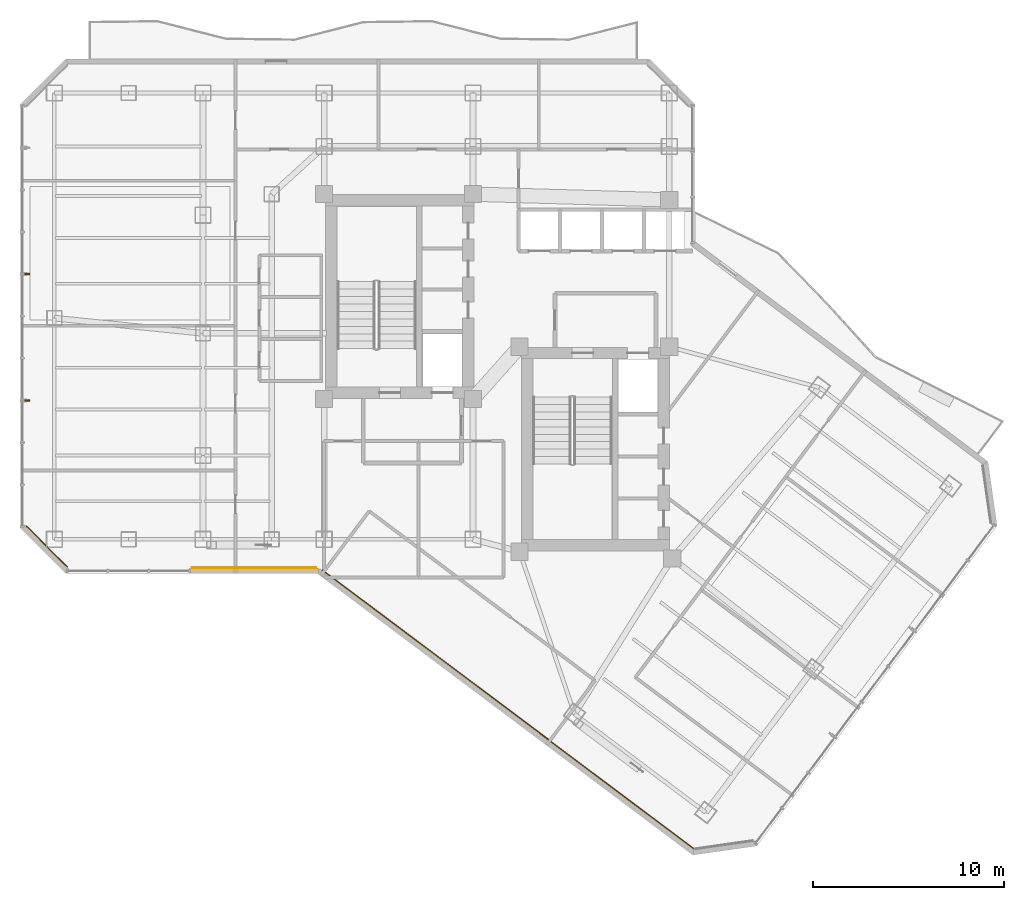
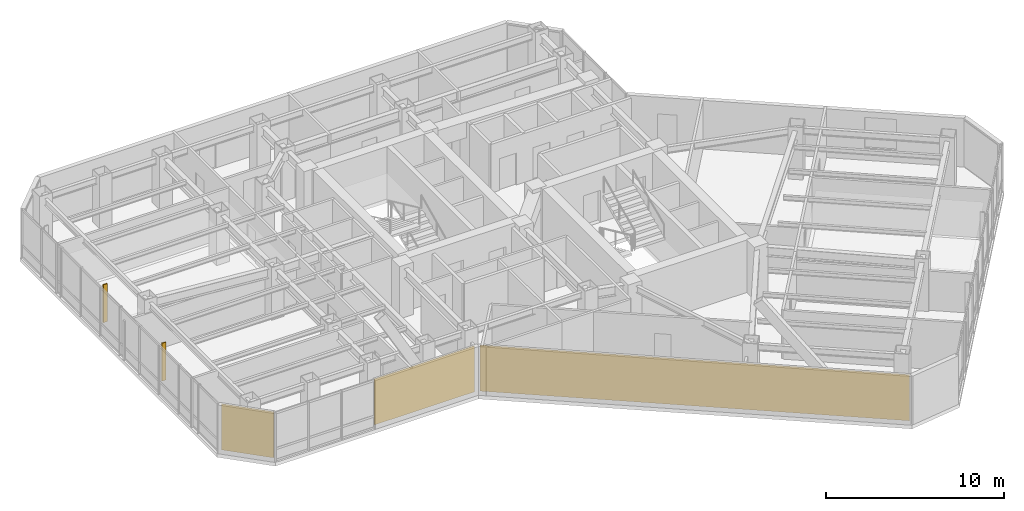
# One storey, part 25 of 28: 3 coverings, 2 shading devices.
"""IFC4 building model written with IfcOpenShell, lengths in metres."""

from ifc_helpers import new_model, si_unit, direction, frame, origin, origin_2d, place, context, subcontext, project, spatial, rectangle, extrude, material, layer, layer_set, type_object, element, save


model = new_model("IFC4")

# Units and contexts
model_context = context("Model", 3, precision=1e-05, world=origin(), true_north=direction((0.0, 1.0)))
body_context = subcontext(model_context, "Body", "Model", "MODEL_VIEW")
ifc_project = project(units=[si_unit("LENGTHUNIT", "METRE"), si_unit("AREAUNIT", "SQUARE_METRE"), si_unit("VOLUMEUNIT", "CUBIC_METRE"), si_unit("PLANEANGLEUNIT", "RADIAN"), si_unit("MASSUNIT", "GRAM", prefix="KILO")], contexts=[model_context])

# Site, building, storey
site_placement = place(None, origin())
site = spatial("IfcSite", under=ifc_project, at=site_placement, CompositionType="ELEMENT")
building_placement = place(site_placement, origin())
building = spatial("IfcBuilding", under=site, at=building_placement, Name="Hatsunagi Terrace Concourse", CompositionType="ELEMENT")
storey_placement = place(building_placement, frame((0.0, 0.0, 160.050048828125)))
storey = spatial("IfcBuildingStorey", under=building, at=storey_placement, Name="L42", CompositionType="ELEMENT", Elevation=160.050048828125)

# Shading devices
ifc_material_1 = material(Name="Extruded Unglazed Terracotta Baguette", Category="masonry")
shading_device_type = type_object("IfcShadingDeviceType", Name="TerracottaFinScreen_260x70", PredefinedType="USERDEFINED", material=ifc_material_1)
for number, where, z_axis, x_axis, name in (
    (1, (9.989990234375, 32.48291015625, 0.849853515625), (0.0, 0.0, 1.0), (0.0, 1.0, 0.0), "Terracotta Baguette Fin Screen SCR-01"),
    (2, (9.989990234375, 39.10791015625, 0.849853515625), (0.0, 0.0, 1.0), (0.0, 1.0, 0.0), "Terracotta Baguette Fin Screen SCR-01"),
):
    element("IfcShadingDevice", number, at=place(storey_placement, frame(where, z_axis=z_axis, x_axis=x_axis)), inside=storey, type_object=shading_device_type, Name=name, ObjectType="SUNSHADE", PredefinedType="USERDEFINED", context=body_context, shape_type="SweptSolid", body=[
        extrude(rectangle(XDim=0.070068359375, YDim=0.260009765625, at=origin_2d()), origin(), (0.0, 0.0, 1.0), 2.60009765625),
    ])

# Coverings
ifc_material_2 = material(Name="Unglazed Warm Terracotta Rainscreen Tile", Category="masonry")
ifc_layer = layer(ifc_material_2, 0.044921875)
ifc_layer_set = layer_set([ifc_layer], Name="TerracottaRainscreenCladding_45")
covering_type = type_object("IfcCoveringType", Name="TerracottaRainscreenCladding_45", PredefinedType="CLADDING", material=ifc_layer_set)
covering_1_placement = place(storey_placement, frame((35.179931640625, 16.29296875, 0.10009765625), z_axis=(0.0, 0.0, 1.0), x_axis=(-0.800005211305, 0.599993051531, 0.0)))
element("IfcCovering", 3, at=covering_1_placement, inside=storey, type_object=covering_type, Name="Terracotta Rainscreen Cladding L42-05", PredefinedType="CLADDING", context=body_context, shape_type="SweptSolid", body=[
    extrude(rectangle(XDim=24.34912109375, YDim=0.044921875, at=origin_2d()), origin(), (0.0, 0.0, 1.0), 3.14990234375),
])
covering_2_placement = place(storey_placement, frame((21.873046875, 23.701904296875, 0.10009765625), z_axis=(0.0, 0.0, 1.0), x_axis=(-1.0, 0.0, 0.0)))
element("IfcCovering", 4, at=covering_2_placement, inside=storey, type_object=covering_type, Name="Terracotta Rainscreen Cladding L42-06", PredefinedType="CLADDING", context=body_context, shape_type="SweptSolid", body=[
    extrude(rectangle(XDim=6.507080078125, YDim=0.044921875, at=origin_2d()), origin(), (0.0, 0.0, 1.0), 3.14990234375),
])
covering_3_placement = place(storey_placement, frame((11.013916015625, 24.81396484375, 0.10009765625), z_axis=(0.0, 0.0, 1.0), x_axis=(-0.707106781187, 0.707106781187, 0.0)))
element("IfcCovering", 5, at=covering_3_placement, inside=storey, type_object=covering_type, Name="Terracotta Rainscreen Cladding L42-08", PredefinedType="CLADDING", context=body_context, shape_type="SweptSolid", body=[
    extrude(rectangle(XDim=3.0380859375, YDim=0.044921875, at=origin_2d()), origin(), (0.0, 0.0, 1.0), 3.14990234375),
])

save(model, "model.ifc")
